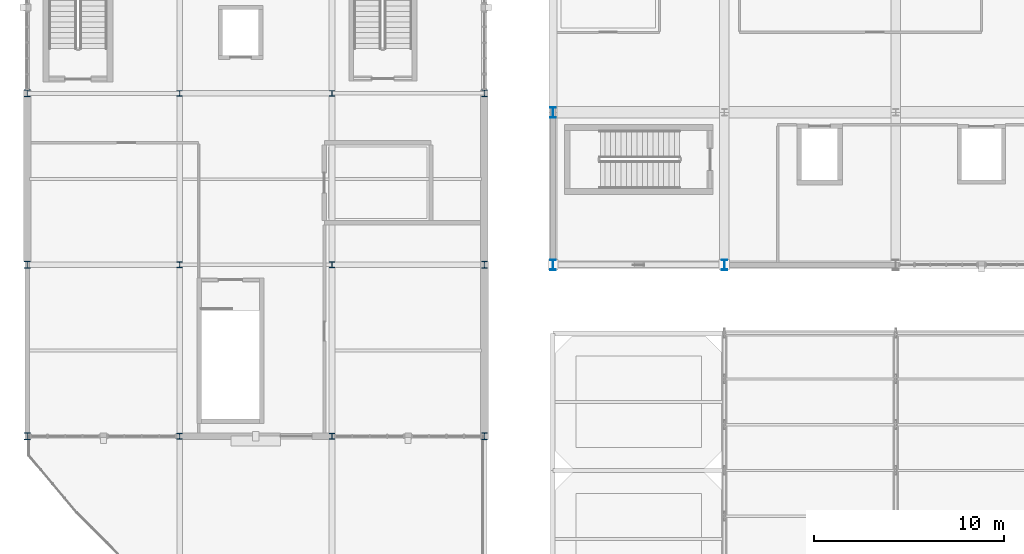
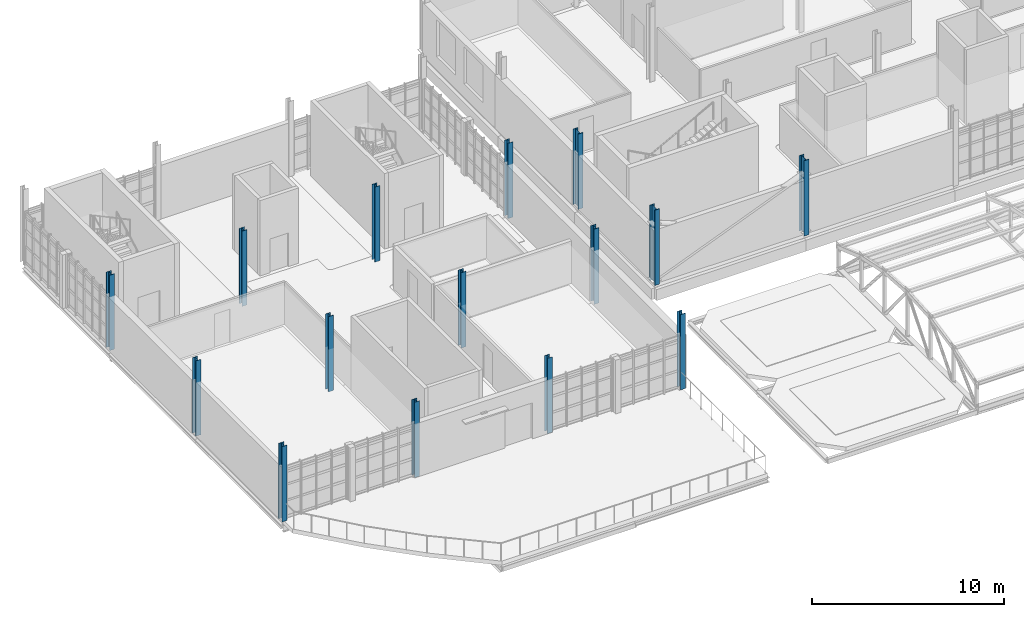
# One storey, part 1 of 128: 15 columns.
"""IFC4 building model written with IfcOpenShell, lengths in metres."""

from ifc_helpers import new_model, si_unit, direction, frame, origin, origin_2d, place, context, subcontext, project, spatial, i_section, extrude, material, material_profile, profile_set, type_object, element, save


model = new_model("IFC4")

# Units and contexts
model_context = context("Model", 3, precision=1e-05, world=origin(), true_north=direction((0.0, 1.0)))
body_context = subcontext(model_context, "Body", "Model", "MODEL_VIEW")
ifc_project = project(units=[si_unit("LENGTHUNIT", "METRE"), si_unit("AREAUNIT", "SQUARE_METRE"), si_unit("VOLUMEUNIT", "CUBIC_METRE"), si_unit("PLANEANGLEUNIT", "RADIAN"), si_unit("MASSUNIT", "GRAM", prefix="KILO")], contexts=[model_context])

# Site, building, storey
site_placement = place(None, origin())
site = spatial("IfcSite", under=ifc_project, at=site_placement, CompositionType="ELEMENT")
building_placement = place(site_placement, origin())
building = spatial("IfcBuilding", under=site, at=building_placement, Name="Serraforn Aerial Cableway Station", CompositionType="ELEMENT")
storey_placement = place(building_placement, frame((0.0, 0.0, 9.0)))
storey = spatial("IfcBuildingStorey", under=building, at=storey_placement, Name="L02", CompositionType="ELEMENT", Elevation=9.0)

# Columns
ifc_material = material(Name="Steel S355J2", Category="steel")
ifc_material_profile_1 = material_profile(ifc_material, i_section(OverallWidth=0.300048828125, OverallDepth=0.300048828125, WebThickness=0.010986328125, FlangeThickness=0.01904296875, FilletRadius=0.027099609375, at=origin_2d()), Name="HEB 300")
ifc_profile_set_1 = profile_set([ifc_material_profile_1], Name="Steel S355J2")
column_type_1 = type_object("IfcColumnType", Name="COL-ST-HEB300", PredefinedType="COLUMN", material=ifc_profile_set_1)
for number, where, z_axis, x_axis, name in (
    (1, (8.0, 9.0, 0.0), (0.0, 0.0, 1.0), (1.0, 0.0, 0.0), "Column W L02 2-B"),
    (2, (8.0, 18.0, 0.0), (0.0, 0.0, 1.0), (1.0, 0.0, 0.0), "Column W L02 2-C"),
    (3, (8.0, 27.0, 0.0), (0.0, 0.0, 1.0), (1.0, 0.0, 0.0), "Column W L02 2-D"),
    (4, (16.0, 9.0, 0.0), (0.0, 0.0, 1.0), (1.0, 0.0, 0.0), "Column W L02 3-B"),
    (5, (16.0, 18.0, 0.0), (0.0, 0.0, 1.0), (1.0, 0.0, 0.0), "Column W L02 3-C"),
    (6, (16.0, 27.0, 0.0), (0.0, 0.0, 1.0), (1.0, 0.0, 0.0), "Column W L02 3-D"),
):
    element("IfcColumn", number, at=place(storey_placement, frame(where, z_axis=z_axis, x_axis=x_axis)), inside=storey, type_object=column_type_1, Name=name, PredefinedType="COLUMN", context=body_context, shape_type="SweptSolid", body=[
        extrude(i_section(OverallWidth=0.300048828125, OverallDepth=0.300048828125, WebThickness=0.010986328125, FlangeThickness=0.01904296875, FilletRadius=0.027099609375, at=origin_2d()), origin(), (0.0, 0.0, 1.0), 4.800048828125),
    ])
ifc_material_profile_2 = material_profile(ifc_material, i_section(OverallWidth=0.300048828125, OverallDepth=0.360107421875, WebThickness=0.012451171875, FlangeThickness=0.0224609375, FilletRadius=0.027099609375, at=origin_2d()), Name="HEB 360")
ifc_profile_set_2 = profile_set([ifc_material_profile_2], Name="Steel S355J2")
column_type_2 = type_object("IfcColumnType", Name="COL-ST-HEB360E", PredefinedType="COLUMN", material=ifc_profile_set_2)
for number, where, z_axis, x_axis, name in (
    (7, (0.0, 9.0, 0.0), (0.0, 0.0, 1.0), (1.0, 0.0, 0.0), "Column W L02 1-B"),
    (8, (0.0, 18.0, 0.0), (0.0, 0.0, 1.0), (1.0, 0.0, 0.0), "Column W L02 1-C"),
    (9, (0.0, 27.0, 0.0), (0.0, 0.0, 1.0), (1.0, 0.0, 0.0), "Column W L02 1-D"),
    (10, (24.0, 9.0, 0.0), (0.0, 0.0, 1.0), (1.0, 0.0, 0.0), "Column W L02 4-B"),
    (11, (24.0, 18.0, 0.0), (0.0, 0.0, 1.0), (1.0, 0.0, 0.0), "Column W L02 4-C"),
    (12, (24.0, 27.0, 0.0), (0.0, 0.0, 1.0), (1.0, 0.0, 0.0), "Column W L02 4-D"),
):
    element("IfcColumn", number, at=place(storey_placement, frame(where, z_axis=z_axis, x_axis=x_axis)), inside=storey, type_object=column_type_2, Name=name, PredefinedType="COLUMN", context=body_context, shape_type="SweptSolid", body=[
        extrude(i_section(OverallWidth=0.300048828125, OverallDepth=0.360107421875, WebThickness=0.012451171875, FlangeThickness=0.0224609375, FilletRadius=0.027099609375, at=origin_2d()), origin(), (0.0, 0.0, 1.0), 4.800048828125),
    ])
ifc_material_profile_3 = material_profile(ifc_material, i_section(OverallWidth=0.300048828125, OverallDepth=0.550048828125, WebThickness=0.014892578125, FlangeThickness=0.029052734375, FilletRadius=0.027099609375, at=origin_2d()), Name="HEB 550")
ifc_profile_set_3 = profile_set([ifc_material_profile_3], Name="Steel S355J2")
column_type_3 = type_object("IfcColumnType", Name="COL-ST-HEB550", PredefinedType="COLUMN", material=ifc_profile_set_3)
for number, where, z_axis, x_axis, name in (
    (13, (27.60009765625, 18.0, 0.0), (0.0, 0.0, 1.0), (1.0, 0.0, 0.0), "Column CV L02 5-C"),
    (14, (27.60009765625, 26.0, 0.0), (0.0, 0.0, 1.0), (1.0, 0.0, 0.0), "Column CV L02 5-D1"),
    (15, (36.60009765625, 18.0, 0.0), (0.0, 0.0, 1.0), (1.0, 0.0, 0.0), "Column CV L02 6-C"),
):
    element("IfcColumn", number, at=place(storey_placement, frame(where, z_axis=z_axis, x_axis=x_axis)), inside=storey, type_object=column_type_3, Name=name, PredefinedType="COLUMN", context=body_context, shape_type="SweptSolid", body=[
        extrude(i_section(OverallWidth=0.300048828125, OverallDepth=0.550048828125, WebThickness=0.014892578125, FlangeThickness=0.029052734375, FilletRadius=0.027099609375, at=origin_2d()), origin(), (0.0, 0.0, 1.0), 4.800048828125),
    ])

save(model, "model.ifc")
